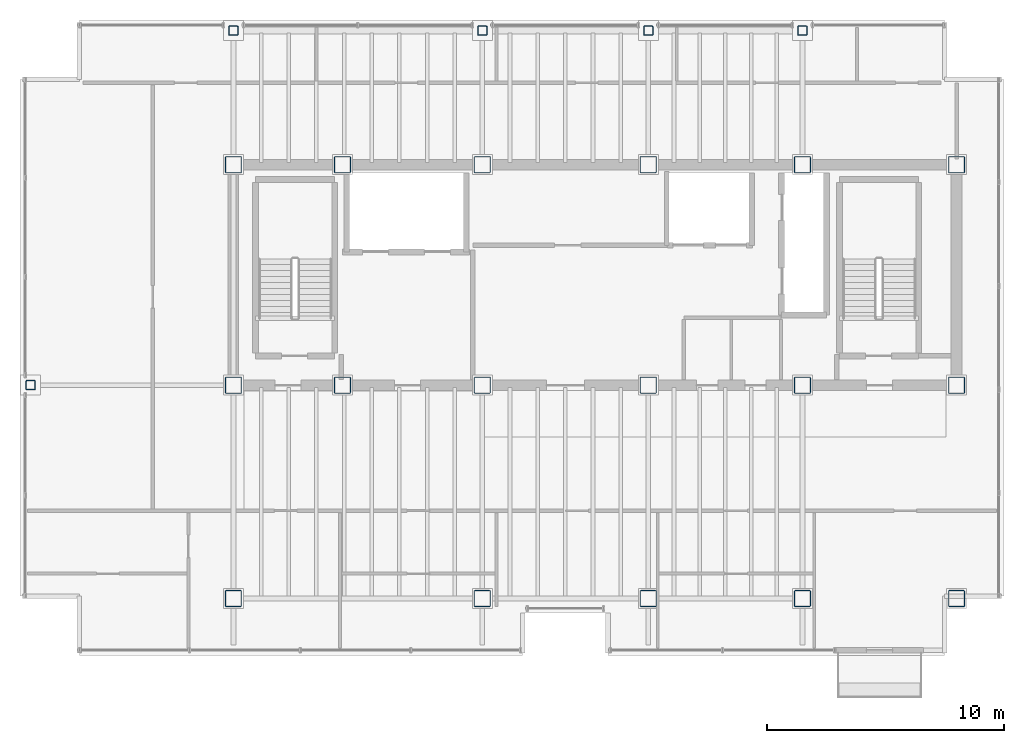
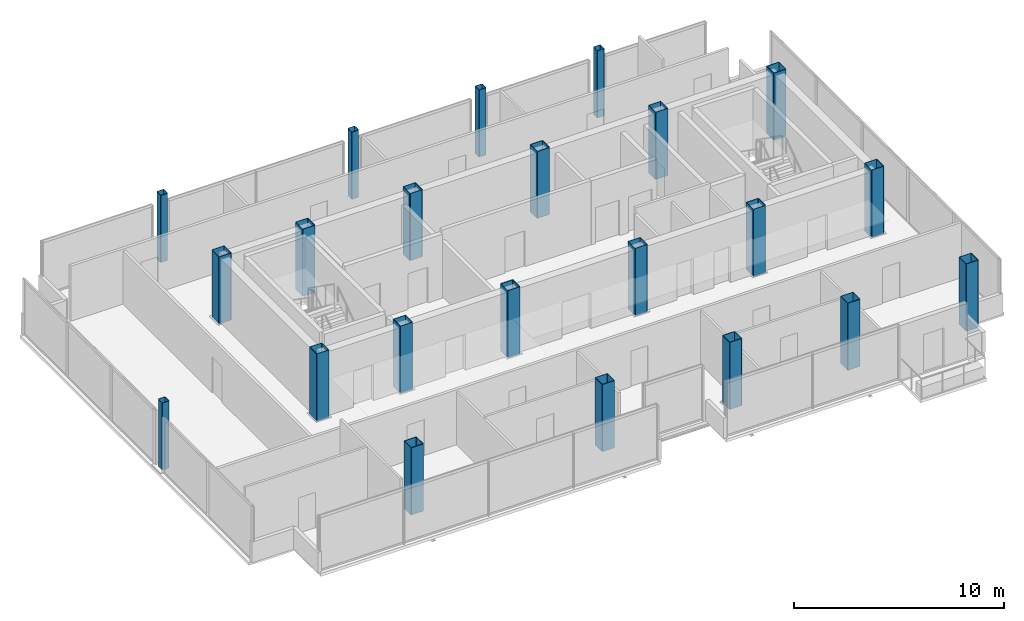
# One storey, part 1 of 17: 22 columns.
"""IFC4 building model written with IfcOpenShell, lengths in metres."""

import ifcopenshell
import ifcopenshell.guid

model = None  # the IFC model being written
_history = None  # IfcOwnerHistory: only IFC2X3 demands one
_inside = {}  # id of a spatial element -> (the spatial element, [elements in it])
_under = {}  # id of a project, library or spatial element -> (it, [spatial elements below it])
_declared = {}  # id of a project -> (the project, [libraries it declares])
_typed = {}  # id of a type object -> (the type object, [elements of that type])
_made_of = {}  # id of a material, layer set ... -> (it, [elements and type objects made of it])


def new_model(schema):
    """Start an empty IFC model of exactly this schema.

    Asked for "IFC4X3", IfcOpenShell would pick the latest addendum, in which some entities
    have other attributes; the version numbers below select the first issue.
    IFC2X3 requires an IfcOwnerHistory on every rooted entity: one is made here for all.
    """
    global model, _history
    if schema == "IFC4X3":
        model = ifcopenshell.file(schema_version=(4, 3, 0, 0))
    else:
        model = ifcopenshell.file(schema=schema)
    _inside.clear()
    _under.clear()
    _declared.clear()
    _typed.clear()
    _made_of.clear()
    _history = None
    if model.schema == "IFC2X3":
        org = make("IfcOrganization", Name="unknown")
        user = make(
            "IfcPersonAndOrganization",
            ThePerson=make("IfcPerson", FamilyName="unknown"),
            TheOrganization=org,
        )
        app = make(
            "IfcApplication",
            ApplicationDeveloper=org,
            Version="unknown",
            ApplicationFullName="unknown",
            ApplicationIdentifier="unknown",
        )
        _history = make(
            "IfcOwnerHistory",
            OwningUser=user,
            OwningApplication=app,
            ChangeAction="ADDED",
            CreationDate=0,
        )
    return model


def make(cls, **values):
    """One entity of the class cls with the attributes given. An attribute that is None is left unset."""
    return model.create_entity(
        cls, **{name: value for name, value in values.items() if value is not None}
    )


def rooted(cls, **values):
    """An entity with a GlobalId (a new one), such as an element, a storey or a relation."""
    return make(cls, GlobalId=ifcopenshell.guid.new(), OwnerHistory=_history, **values)


def si_unit(unit_type, name, prefix=None):
    """IfcSIUnit, for example si_unit("LENGTHUNIT", "METRE", prefix="MILLI")."""
    return make("IfcSIUnit", UnitType=unit_type, Prefix=prefix, Name=name)


def assignment(units):
    """IfcUnitAssignment: the units of a project."""
    return None if units is None else make("IfcUnitAssignment", Units=units)


def point(xyz):
    """IfcCartesianPoint."""
    return None if xyz is None else make("IfcCartesianPoint", Coordinates=xyz)


def direction(xyz):
    """IfcDirection."""
    return None if xyz is None else make("IfcDirection", DirectionRatios=xyz)


def frame(location, z_axis=None, x_axis=None):
    """IfcAxis2Placement3D, a coordinate frame: its origin and axes. An axis left out is left unset."""
    return make(
        "IfcAxis2Placement3D",
        Location=point(location),
        Axis=direction(z_axis),
        RefDirection=direction(x_axis),
    )


def frame_2d(location, x_axis=None):
    """IfcAxis2Placement2D, a coordinate frame in the plane: its origin and x axis."""
    return make(
        "IfcAxis2Placement2D", Location=point(location), RefDirection=direction(x_axis)
    )


def origin():
    """The frame at (0, 0, 0) with its axes left unset."""
    return frame((0.0, 0.0, 0.0))


def origin_2d():
    """The frame at (0, 0) in the plane with its x axis left unset."""
    return frame_2d((0.0, 0.0))


def place(relative_to, where):
    """IfcLocalPlacement: puts the frame where relative to a parent placement (None: the world)."""
    return make(
        "IfcLocalPlacement", PlacementRelTo=relative_to, RelativePlacement=where
    )


def context(
    kind, dimensions, precision=None, world=None, true_north=None, identifier=None
):
    """IfcGeometricRepresentationContext, for example the 3D "Model" context."""
    return make(
        "IfcGeometricRepresentationContext",
        ContextIdentifier=identifier,
        ContextType=kind,
        CoordinateSpaceDimension=dimensions,
        Precision=precision,
        WorldCoordinateSystem=world,
        TrueNorth=true_north,
    )


def subcontext(parent, identifier, kind, view, scale=None):
    """IfcGeometricRepresentationSubContext, for example "Body" below "Model"."""
    return make(
        "IfcGeometricRepresentationSubContext",
        ContextIdentifier=identifier,
        ContextType=kind,
        ParentContext=parent,
        TargetScale=scale,
        TargetView=view,
    )


def project(units=None, contexts=None):
    """IfcProject with its units and contexts."""
    return rooted(
        "IfcProject",
        Name="project",
        RepresentationContexts=contexts,
        UnitsInContext=assignment(units),
    )


def spatial(cls, under=None, at=None, **own):
    """A site, building, storey or space (cls), placed at a placement, below another one or the project."""
    s = rooted(cls, ObjectPlacement=at, **own)
    if under is not None:
        _under.setdefault(under.id(), (under, []))[1].append(s)
    return s


def profile(cls, at=None, kind="AREA", **sizes):
    """A parametric profile (cls). Its sizes go by their IFC names, for example OverallWidth=200.0."""
    return make(cls, ProfileType=kind, Position=at, **sizes)


def hollow_rectangle(**sizes):
    """IfcRectangleHollowProfileDef."""
    return profile("IfcRectangleHollowProfileDef", **sizes)


def extrude(swept, where, along, depth):
    """IfcExtrudedAreaSolid: the profile swept, set in the frame where, extruded along a direction by depth."""
    return make(
        "IfcExtrudedAreaSolid",
        SweptArea=swept,
        Position=where,
        ExtrudedDirection=direction(along),
        Depth=depth,
    )


def shape(context_of_items, identifier, shape_type, items):
    """IfcShapeRepresentation: the items that make up one representation, for example the "Body"."""
    return make(
        "IfcShapeRepresentation",
        ContextOfItems=context_of_items,
        RepresentationIdentifier=identifier,
        RepresentationType=shape_type,
        Items=items,
    )


def material(Name=None, Category=None):
    """IfcMaterial."""
    return make("IfcMaterial", Name=Name, Category=Category)


def material_profile(
    of_material, cross_section, Name=None, Category=None, Priority=None
):
    """IfcMaterialProfile: a cross section and its material."""
    return make(
        "IfcMaterialProfile",
        Name=Name,
        Material=of_material,
        Profile=cross_section,
        Priority=Priority,
        Category=Category,
    )


def profile_set(profiles, Name=None, composite=None):
    """IfcMaterialProfileSet."""
    return make(
        "IfcMaterialProfileSet",
        Name=Name,
        MaterialProfiles=profiles,
        CompositeProfile=composite,
    )


def made_of(thing, what):
    """Note that an element or type object is made of a material, layer set ...; save() writes the relation."""
    if what is not None:
        _made_of.setdefault(what.id(), (what, []))[1].append(thing)
    return thing


def type_object(cls, material=None, **own):
    """A type object (cls), such as IfcWallType, which elements share."""
    return made_of(rooted(cls, **own), material)


def element(
    cls,
    number,
    at=None,
    inside=None,
    cuts=None,
    type_object=None,
    material=None,
    context=None,
    identifier="Body",
    shape_type=None,
    held_by="IfcProductDefinitionShape",
    body=None,
    shapes=None,
    **own,
):
    """One element of the class cls, such as IfcWall. Its Tag is "e" and its number.

    at: its placement. inside: the storey or other place that contains it. cuts: it is an
    opening in that element (IfcRelVoidsElement). A single representation is given by context,
    identifier, shape_type and body (its items); several are given by shapes. held_by: the class
    of the entity that holds the representations. save() writes the other relations.
    """
    e = rooted(cls, Tag="e%d" % number, ObjectPlacement=at, **own)
    if body is not None:
        shapes = [shape(context, identifier, shape_type, body)]
    if shapes is not None:
        e.Representation = make(held_by, Representations=shapes)
    if inside is not None:
        _inside.setdefault(inside.id(), (inside, []))[1].append(e)
    if cuts is not None:
        rooted(
            "IfcRelVoidsElement", RelatingBuildingElement=cuts, RelatedOpeningElement=e
        )
    if type_object is not None:
        _typed.setdefault(type_object.id(), (type_object, []))[1].append(e)
    return made_of(e, material)


def aggregate(whole, parts):
    """IfcRelAggregates: a whole, such as a stair, and the parts it consists of."""
    return rooted("IfcRelAggregates", RelatingObject=whole, RelatedObjects=parts)


def save(model, path):
    """Write the relations noted so far, then the file.

    IfcRelAggregates (storeys below a building ...), IfcRelContainedInSpatialStructure (elements
    in a storey), IfcRelDefinesByType, IfcRelAssociatesMaterial and IfcRelDeclares: one each for
    every whole, place, type object, material and project.
    """
    for whole, parts in _under.values():
        aggregate(whole, parts)
    for where, things in _inside.values():
        rooted(
            "IfcRelContainedInSpatialStructure",
            RelatedElements=things,
            RelatingStructure=where,
        )
    for kind, things in _typed.values():
        rooted("IfcRelDefinesByType", RelatedObjects=things, RelatingType=kind)
    for what, things in _made_of.values():
        rooted("IfcRelAssociatesMaterial", RelatedObjects=things, RelatingMaterial=what)
    for by, libraries in _declared.values():
        rooted("IfcRelDeclares", RelatingContext=by, RelatedDefinitions=libraries)
    model.write(path)


model = new_model("IFC4")

# Units and contexts
model_context = context("Model", 3, precision=1e-05, world=origin(), true_north=direction((0.0, 1.0)))
body_context = subcontext(model_context, "Body", "Model", "MODEL_VIEW")
ifc_project = project(units=[si_unit("LENGTHUNIT", "METRE"), si_unit("AREAUNIT", "SQUARE_METRE"), si_unit("VOLUMEUNIT", "CUBIC_METRE"), si_unit("PLANEANGLEUNIT", "RADIAN"), si_unit("MASSUNIT", "GRAM", prefix="KILO")], contexts=[model_context])

# Site, building, storey
site_placement = place(None, origin())
site = spatial("IfcSite", under=ifc_project, at=site_placement, CompositionType="ELEMENT")
building_placement = place(site_placement, origin())
building = spatial("IfcBuilding", under=site, at=building_placement, Name="Noeulbin Bourse Tower", CompositionType="ELEMENT")
storey_placement = place(building_placement, frame((0.0, 0.0, 273.5)))
storey = spatial("IfcBuildingStorey", under=building, at=storey_placement, Name="L68", CompositionType="ELEMENT", Elevation=273.5)

# Columns
ifc_material = material(Name="Steel S355", Category="steel")
ifc_material_profile_1 = material_profile(ifc_material, hollow_rectangle(XDim=0.39990234375, YDim=0.39990234375, WallThickness=0.02001953125, InnerFilletRadius=0.02001953125, OuterFilletRadius=0.0400390625, at=origin_2d()), Name="SHS-400x400x20", Category="LoadBearing")
ifc_profile_set_1 = profile_set([ifc_material_profile_1], Name="Steel S355")
column_type_1 = type_object("IfcColumnType", Name="COL-PER-Z4", PredefinedType="COLUMN", material=ifc_profile_set_1)
for number, where, z_axis, x_axis, name in (
    (1, (4.949951171875, 29.0, 0.0), (0.0, 0.0, 1.0), (1.0, 0.0, 0.0), "Tower Perimeter Column COL-PER-Z4 01"),
    (2, (13.5, 43.949951171875, 0.0), (0.0, 0.0, 1.0), (1.0, 0.0, 0.0), "Tower Perimeter Column COL-PER-Z4 02"),
    (3, (24.0, 43.949951171875, 0.0), (0.0, 0.0, 1.0), (1.0, 0.0, 0.0), "Tower Perimeter Column COL-PER-Z4 03"),
    (4, (31.0, 43.949951171875, 0.0), (0.0, 0.0, 1.0), (1.0, 0.0, 0.0), "Tower Perimeter Column COL-PER-Z4 04"),
    (5, (37.5, 43.949951171875, 0.0), (0.0, 0.0, 1.0), (1.0, 0.0, 0.0), "Tower Perimeter Column COL-PER-Z4 05"),
):
    element("IfcColumn", number, at=place(storey_placement, frame(where, z_axis=z_axis, x_axis=x_axis)), inside=storey, type_object=column_type_1, Name=name, PredefinedType="COLUMN", context=body_context, shape_type="SweptSolid", body=[
        extrude(hollow_rectangle(XDim=0.39990234375, YDim=0.39990234375, WallThickness=0.02001953125, InnerFilletRadius=0.02001953125, OuterFilletRadius=0.0400390625, at=origin_2d()), origin(), (0.0, 0.0, 1.0), 3.89990234375),
    ])
ifc_material_profile_2 = material_profile(ifc_material, hollow_rectangle(XDim=0.699951171875, YDim=0.699951171875, WallThickness=0.028076171875, InnerFilletRadius=0.013916015625, OuterFilletRadius=0.0419921875, at=origin_2d()), Name="BOX-700x700x28", Category="LoadBearing")
ifc_profile_set_2 = profile_set([ifc_material_profile_2], Name="Steel S355")
column_type_2 = type_object("IfcColumnType", Name="COL-TRK-Z4", PredefinedType="COLUMN", material=ifc_profile_set_2)
for number, where, z_axis, x_axis, name in (
    (6, (13.5, 29.0, 0.0), (0.0, 0.0, 1.0), (1.0, 0.0, 0.0), "Tower Trunk Mega-Column COL-TRK-Z4 01"),
    (7, (13.5, 38.300048828125, 0.0), (0.0, 0.0, 1.0), (1.0, 0.0, 0.0), "Tower Trunk Mega-Column COL-TRK-Z4 02"),
    (8, (18.10009765625, 29.0, 0.0), (0.0, 0.0, 1.0), (1.0, 0.0, 0.0), "Tower Trunk Mega-Column COL-TRK-Z4 03"),
    (9, (18.10009765625, 38.300048828125, 0.0), (0.0, 0.0, 1.0), (1.0, 0.0, 0.0), "Tower Trunk Mega-Column COL-TRK-Z4 04"),
    (10, (24.0, 29.0, 0.0), (0.0, 0.0, 1.0), (1.0, 0.0, 0.0), "Tower Trunk Mega-Column COL-TRK-Z4 05"),
    (11, (24.0, 38.300048828125, 0.0), (0.0, 0.0, 1.0), (1.0, 0.0, 0.0), "Tower Trunk Mega-Column COL-TRK-Z4 06"),
    (12, (31.0, 29.0, 0.0), (0.0, 0.0, 1.0), (1.0, 0.0, 0.0), "Tower Trunk Mega-Column COL-TRK-Z4 07"),
    (13, (31.0, 38.300048828125, 0.0), (0.0, 0.0, 1.0), (1.0, 0.0, 0.0), "Tower Trunk Mega-Column COL-TRK-Z4 08"),
    (14, (37.5, 29.0, 0.0), (0.0, 0.0, 1.0), (1.0, 0.0, 0.0), "Tower Trunk Mega-Column COL-TRK-Z4 09"),
    (15, (37.5, 38.300048828125, 0.0), (0.0, 0.0, 1.0), (1.0, 0.0, 0.0), "Tower Trunk Mega-Column COL-TRK-Z4 10"),
    (16, (44.0, 29.0, 0.0), (0.0, 0.0, 1.0), (1.0, 0.0, 0.0), "Tower Trunk Mega-Column COL-TRK-Z4 11"),
    (17, (44.0, 38.300048828125, 0.0), (0.0, 0.0, 1.0), (1.0, 0.0, 0.0), "Tower Trunk Mega-Column COL-TRK-Z4 12"),
    (18, (13.5, 20.0, 0.0), (0.0, 0.0, 1.0), (1.0, 0.0, 0.0), "Tower Trunk Mega-Column COL-TRK-Z4 13"),
    (19, (24.0, 20.0, 0.0), (0.0, 0.0, 1.0), (1.0, 0.0, 0.0), "Tower Trunk Mega-Column COL-TRK-Z4 14"),
    (20, (31.0, 20.0, 0.0), (0.0, 0.0, 1.0), (1.0, 0.0, 0.0), "Tower Trunk Mega-Column COL-TRK-Z4 15"),
    (21, (37.5, 20.0, 0.0), (0.0, 0.0, 1.0), (1.0, 0.0, 0.0), "Tower Trunk Mega-Column COL-TRK-Z4 16"),
    (22, (44.0, 20.0, 0.0), (0.0, 0.0, 1.0), (1.0, 0.0, 0.0), "Tower Trunk Mega-Column COL-TRK-Z4 17"),
):
    element("IfcColumn", number, at=place(storey_placement, frame(where, z_axis=z_axis, x_axis=x_axis)), inside=storey, type_object=column_type_2, Name=name, PredefinedType="COLUMN", context=body_context, shape_type="SweptSolid", body=[
        extrude(hollow_rectangle(XDim=0.699951171875, YDim=0.699951171875, WallThickness=0.028076171875, InnerFilletRadius=0.013916015625, OuterFilletRadius=0.0419921875, at=origin_2d()), origin(), (0.0, 0.0, 1.0), 3.89990234375),
    ])

save(model, "model.ifc")
